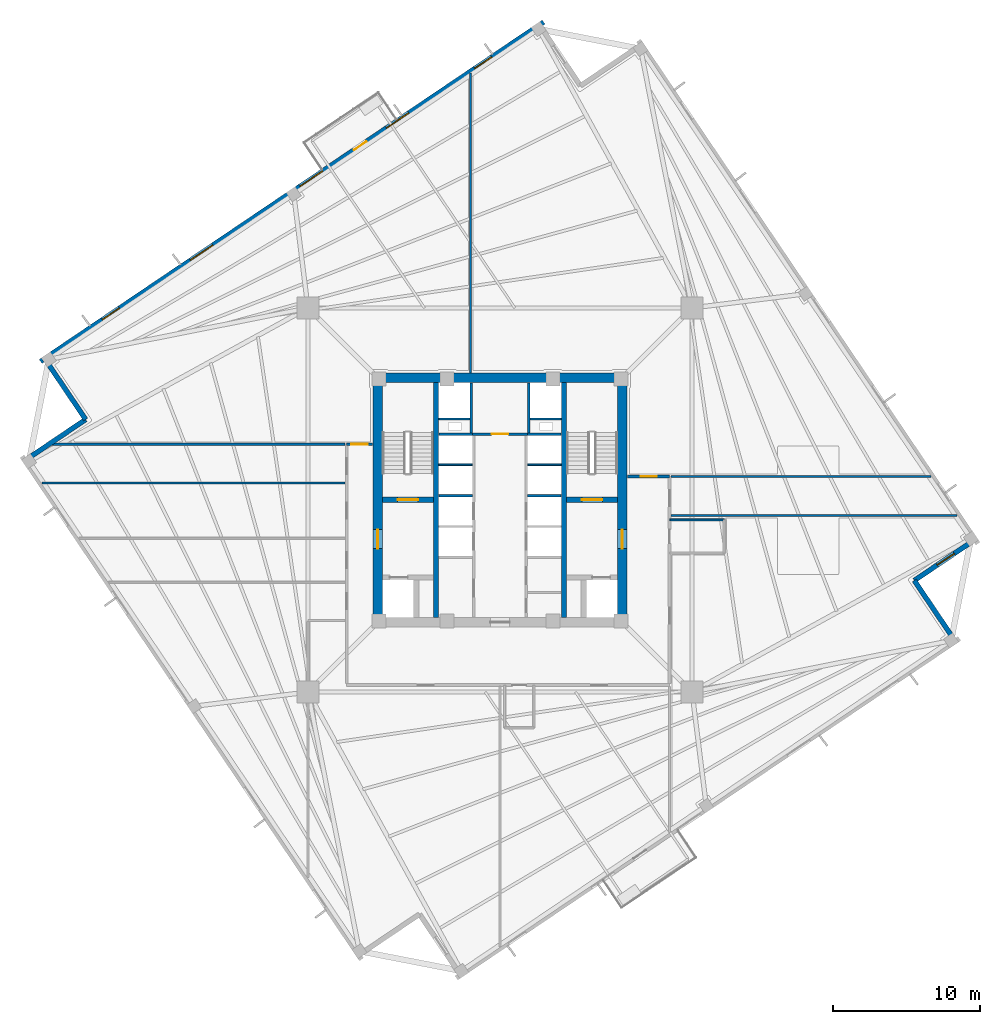
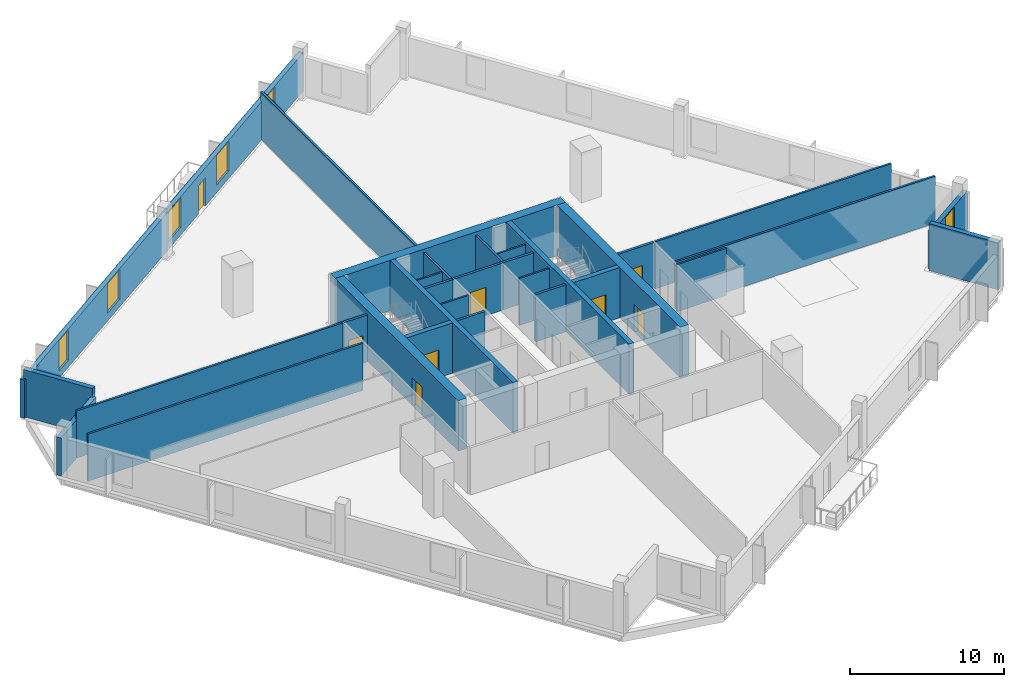
# One storey, part 4 of 8: 31 walls, 8 doors, 6 windows, 14 openings.
"""IFC4 building model written with IfcOpenShell, lengths in metres."""

from ifc_helpers import new_model, si_unit, direction, frame, frame_2d, origin, place, context, subcontext, project, spatial, rectangle, extrude, source, transform, mapped, material, layer, layer_set, type_object, element, fill, save


model = new_model("IFC4")

# Units and contexts
model_context = context("Model", 3, precision=1e-05, world=origin(), true_north=direction((0.0, 1.0)))
body_context = subcontext(model_context, "Body", "Model", "MODEL_VIEW")
ifc_project = project(units=[si_unit("LENGTHUNIT", "METRE"), si_unit("AREAUNIT", "SQUARE_METRE"), si_unit("VOLUMEUNIT", "CUBIC_METRE"), si_unit("PLANEANGLEUNIT", "RADIAN"), si_unit("MASSUNIT", "GRAM", prefix="KILO"), si_unit("THERMODYNAMICTEMPERATUREUNIT", "KELVIN")], contexts=[model_context])

# Site, building, storey
site_placement = place(None, origin())
site = spatial("IfcSite", under=ifc_project, at=site_placement, CompositionType="ELEMENT")
building_placement = place(site_placement, origin())
building = spatial("IfcBuilding", under=site, at=building_placement, Name="Kosmvard Interchange Tower", CompositionType="ELEMENT")
storey_placement = place(building_placement, frame((0.0, 0.0, 188.39990234375)))
storey = spatial("IfcBuildingStorey", under=building, at=storey_placement, Name="L45", CompositionType="ELEMENT", Elevation=188.39990234375)

# Walls
ifc_material_1 = material(Name="Acoustic gypsum partition system")
ifc_layer_1 = layer(ifc_material_1, 0.14990234375, Name="Acoustic gypsum partition system")
ifc_layer_set_1 = layer_set([ifc_layer_1], Name="Acoustic gypsum partition system")
wall_type_1 = type_object("IfcWallType", Name="Acoustic Suite & Meeting Partition 150", PredefinedType="PARTITIONING", material=ifc_layer_set_1)
wall_1_placement = place(storey_placement, frame((-2.0, 8.655029296875, 0.0), z_axis=(0.0, 0.0, 1.0), x_axis=(0.0, 1.0, 0.0)))
element("IfcWall", 1, at=wall_1_placement, inside=storey, type_object=wall_type_1, Name="L45 Room Partition 01.1", PredefinedType="PARTITIONING", context=body_context, shape_type="SweptSolid", body=[
    extrude(rectangle(XDim=20.4228515625, YDim=0.14990234375, at=frame_2d((10.21142578125, 0.0))), origin(), (0.0, 0.0, 1.0), 3.739990234375),
])
wall_2_placement = place(storey_placement, frame((-31.20263671875, 1.14990234375, 0.0), z_axis=(0.0, 0.0, 1.0), x_axis=(1.0, 0.0, 0.0)))
element("IfcWall", 2, at=wall_2_placement, inside=storey, type_object=wall_type_1, Name="L45 Room Partition 02.1", PredefinedType="PARTITIONING", context=body_context, shape_type="SweptSolid", body=[
    extrude(rectangle(XDim=20.65771484375, YDim=0.14990234375, at=frame_2d((10.328857421875, 0.0))), origin(), (0.0, 0.0, 1.0), 3.739990234375),
])
wall_3_placement = place(storey_placement, frame((-30.534423828125, 3.800048828125, 0.0), z_axis=(0.0, 0.0, 1.0), x_axis=(1.0, 0.0, 0.0)))
element("IfcWall", 3, at=wall_3_placement, inside=storey, type_object=wall_type_1, Name="L45 Room Partition 03.1", PredefinedType="PARTITIONING", context=body_context, shape_type="SweptSolid", body=[
    extrude(rectangle(XDim=19.989501953125, YDim=0.14990234375, at=frame_2d((9.99462890625, 0.0))), origin(), (0.0, 0.0, 1.0), 3.739990234375),
])
wall_4_placement = place(storey_placement, frame((11.64501953125, -1.050048828125, 0.0), z_axis=(0.0, 0.0, 1.0), x_axis=(1.0, 0.0, 0.0)))
element("IfcWall", 4, at=wall_4_placement, inside=storey, type_object=wall_type_1, Name="L45 Room Partition 04.1", PredefinedType="PARTITIONING", context=body_context, shape_type="SweptSolid", body=[
    extrude(rectangle(XDim=19.489990234375, YDim=0.14990234375, at=frame_2d((9.7451171875, 0.0))), origin(), (0.0, 0.0, 1.0), 3.739990234375),
])
wall_5_placement = place(storey_placement, frame((11.64501953125, 1.60009765625, 0.0), z_axis=(0.0, 0.0, 1.0), x_axis=(1.0, 0.0, 0.0)))
element("IfcWall", 5, at=wall_5_placement, inside=storey, type_object=wall_type_1, Name="L45 Room Partition 05.1", PredefinedType="PARTITIONING", context=body_context, shape_type="SweptSolid", body=[
    extrude(rectangle(XDim=17.70263671875, YDim=0.14990234375, at=frame_2d((8.851318359375, 0.0))), origin(), (0.0, 0.0, 1.0), 3.739990234375),
])
ifc_material_2 = material(Name="Fire-rated gypsum partition system")
ifc_layer_2 = layer(ifc_material_2, 0.159912109375, Name="Fire-rated gypsum partition system")
ifc_layer_set_2 = layer_set([ifc_layer_2], Name="Fire-rated gypsum partition system")
wall_type_2 = type_object("IfcWallType", Name="Core Compartment & Shuttle Lobby Partition 160", PredefinedType="PARTITIONING", material=ifc_layer_set_2)
for number, where, z_axis, x_axis, name in (
    (6, (-1.9599609375, 4.580078125, 0.0), (0.0, 0.0, 1.0), (0.0, 1.0, 0.0), "L45 North Core West Wall"),
    (7, (1.9599609375, 4.580078125, 0.0), (0.0, 0.0, 1.0), (0.0, 1.0, 0.0), "L45 North Core East Wall"),
):
    element("IfcWall", number, at=place(storey_placement, frame(where, z_axis=z_axis, x_axis=x_axis)), inside=storey, type_object=wall_type_2, Name=name, PredefinedType="PARTITIONING", context=body_context, shape_type="SweptSolid", body=[
        extrude(rectangle(XDim=3.39990234375, YDim=0.159912109375, at=frame_2d((1.699951171875, 0.0))), origin(), (0.0, 0.0, 1.0), 3.739990234375),
    ])

# Wall, opening, door
ifc_layer_3 = layer(ifc_material_2, 0.179931640625, Name="Fire-rated gypsum partition system")
ifc_layer_set_3 = layer_set([ifc_layer_3], Name="Fire-rated gypsum partition system")
wall_type_3 = type_object("IfcWallType", Name="Corridor & Hotel Compartment Partition 180", PredefinedType="PARTITIONING", material=ifc_layer_set_3)
wall_6_placement = place(storey_placement, frame((-1.8798828125, 4.489990234375, 0.0), z_axis=(0.0, 0.0, 1.0), x_axis=(1.0, 0.0, 0.0)))
wall_6 = element("IfcWall", 8, at=wall_6_placement, inside=storey, type_object=wall_type_3, Name="L45 Lift Lobby North Partition", PredefinedType="PARTITIONING", context=body_context, shape_type="SweptSolid", body=[
    extrude(rectangle(XDim=3.759765625, YDim=0.179931640625, at=frame_2d((1.8798828125, 0.0))), origin(), (0.0, 0.0, 1.0), 3.739990234375),
])
opening_1_placement = place(wall_6_placement, frame((1.304931640625, 0.0, 0.0)))
opening_1 = element("IfcOpeningElement", 9, at=opening_1_placement, cuts=wall_6, Name="Opening L45-KD1", PredefinedType="OPENING", context=body_context, shape_type="SweptSolid", body=[
    extrude(rectangle(XDim=1.14990234375, YDim=2.25, at=frame_2d((0.574951171875, 1.125))), frame((0.0, 0.10009765625, 0.0), z_axis=(0.0, -1.0, 0.0), x_axis=(1.0, 0.0, 0.0)), (0.0, 0.0, 1.0), 0.199951171875),
])
ifc_material_3 = material(Name="Painted fire-rated steel leaf", Category="steel")
door_type_1 = type_object("IfcDoorType", Name="Plant & Riser Fire Door 1150x2250 EI60", OperationType="NOTDEFINED", PredefinedType="DOOR", material=ifc_material_3)
shared_shape_1 = source(origin(), body_context, "Body", "SweptSolid", [
    extrude(rectangle(XDim=1.14990234375, YDim=2.25, at=frame_2d((0.574951171875, 1.125))), frame((0.0, 0.02490234375, 0.0), z_axis=(0.0, -1.0, 0.0), x_axis=(1.0, 0.0, 0.0)), (0.0, 0.0, 1.0), 0.050048828125),
])
door_1_placement = place(opening_1_placement, origin())
door_1 = element("IfcDoor", 10, at=door_1_placement, inside=storey, type_object=door_type_1, Name="L45 Core IT Room Door", OperationType="SINGLE_SWING_LEFT", OverallHeight=2.25, OverallWidth=1.14990234375, PredefinedType="DOOR", context=body_context, shape_type="MappedRepresentation", body=[
    mapped(shared_shape_1, transform((0.0, 0.0, 0.0), scale=1.0)),
])
fill(opening_1, door_1)

wall_7_placement = place(storey_placement, frame((-10.449951171875, 3.800048828125, 0.0), z_axis=(0.0, 0.0, 1.0), x_axis=(1.0, 0.0, 0.0)))
wall_7 = element("IfcWall", 11, at=wall_7_placement, inside=storey, type_object=wall_type_3, Name="L45 Corridor Wall CNW", PredefinedType="PARTITIONING", context=body_context, shape_type="SweptSolid", body=[
    extrude(rectangle(XDim=1.75, YDim=0.179931640625, at=frame_2d((0.875, 0.0))), origin(), (0.0, 0.0, 1.0), 3.739990234375),
])
opening_2_placement = place(wall_7_placement, frame((0.324951171875, 0.0, 0.0)))
opening_2 = element("IfcOpeningElement", 12, at=opening_2_placement, cuts=wall_7, Name="Opening L45-D04", PredefinedType="OPENING", context=body_context, shape_type="SweptSolid", body=[
    extrude(rectangle(XDim=1.10009765625, YDim=2.199951171875, at=frame_2d((0.550048828125, 1.10009765625))), frame((0.0, 0.10009765625, 0.0), z_axis=(0.0, -1.0, 0.0), x_axis=(1.0, 0.0, 0.0)), (0.0, 0.0, 1.0), 0.199951171875),
])
ifc_material_4 = material(Name="Engineered oak fire-rated timber", Category="wood")
door_type_2 = type_object("IfcDoorType", Name="Office Suite Entrance Door 1100x2200 FD30S", OperationType="NOTDEFINED", PredefinedType="DOOR", material=ifc_material_4)
shared_shape_2 = source(origin(), body_context, "Body", "SweptSolid", [
    extrude(rectangle(XDim=1.10009765625, YDim=2.199951171875, at=frame_2d((0.550048828125, 1.10009765625))), frame((0.0, 0.02490234375, 0.0), z_axis=(0.0, -1.0, 0.0), x_axis=(1.0, 0.0, 0.0)), (0.0, 0.0, 1.0), 0.050048828125),
])
door_2_placement = place(opening_2_placement, origin())
door_2 = element("IfcDoor", 13, at=door_2_placement, inside=storey, type_object=door_type_2, Name="L45 North-West Cyber Operations Workplace Door", OperationType="SINGLE_SWING_RIGHT", OverallHeight=2.199951171875, OverallWidth=1.10009765625, PredefinedType="DOOR", context=body_context, shape_type="MappedRepresentation", body=[
    mapped(shared_shape_2, transform((0.0, 0.0, 0.0), scale=1.0)),
])
fill(opening_2, door_2)

wall_8_placement = place(storey_placement, frame((8.699951171875, 1.60009765625, 0.0), z_axis=(0.0, 0.0, 1.0), x_axis=(1.0, 0.0, 0.0)))
wall_8 = element("IfcWall", 14, at=wall_8_placement, inside=storey, type_object=wall_type_3, Name="L45 Corridor Wall CNE", PredefinedType="PARTITIONING", context=body_context, shape_type="SweptSolid", body=[
    extrude(rectangle(XDim=2.85009765625, YDim=0.179931640625, at=frame_2d((1.425048828125, 0.0))), origin(), (0.0, 0.0, 1.0), 3.739990234375),
])
opening_3_placement = place(wall_8_placement, frame((0.875, 0.0, 0.0)))
opening_3 = element("IfcOpeningElement", 15, at=opening_3_placement, cuts=wall_8, Name="Opening L45-D05", PredefinedType="OPENING", context=body_context, shape_type="SweptSolid", body=[
    extrude(rectangle(XDim=1.10009765625, YDim=2.199951171875, at=frame_2d((0.550048828125, 1.10009765625))), frame((0.0, 0.10009765625, 0.0), z_axis=(0.0, -1.0, 0.0), x_axis=(1.0, 0.0, 0.0)), (0.0, 0.0, 1.0), 0.199951171875),
])
door_3_placement = place(opening_3_placement, origin())
door_3 = element("IfcDoor", 16, at=door_3_placement, inside=storey, type_object=door_type_2, Name="L45 North-East Cloud Systems Workplace Door", OperationType="SINGLE_SWING_LEFT", OverallHeight=2.199951171875, OverallWidth=1.10009765625, PredefinedType="DOOR", context=body_context, shape_type="MappedRepresentation", body=[
    mapped(shared_shape_2, transform((0.0, 0.0, 0.0), scale=1.0)),
])
fill(opening_3, door_3)

# Wall
ifc_material_5 = material(Name="Concrete C70/85", Category="concrete")
ifc_layer_4 = layer(ifc_material_5, 0.64990234375, Name="Concrete C70/85")
ifc_layer_set_4 = layer_set([ifc_layer_4], Name="Concrete C70/85")
wall_type_4 = type_object("IfcWallType", Name="Mid Core Shear Wall 650 C70/85", PredefinedType="SHEAR", material=ifc_layer_set_4)
wall_9_placement = place(storey_placement, frame((-8.64990234375, 8.324951171875, 0.0), z_axis=(0.0, 0.0, 1.0), x_axis=(1.0, 0.0, 0.0)))
element("IfcWall", 17, at=wall_9_placement, inside=storey, type_object=wall_type_4, Name="L45 Core Shear Wall CW-N", PredefinedType="SHEAR", context=body_context, shape_type="SweptSolid", body=[
    extrude(rectangle(XDim=17.2998046875, YDim=0.64990234375, at=frame_2d((8.64990234375, 0.0))), origin(), (0.0, 0.0, 1.0), 4.0),
])

# Wall, opening, door
wall_10_placement = place(storey_placement, frame((-8.324951171875, -8.0, 0.0), z_axis=(0.0, 0.0, 1.0), x_axis=(0.0, 1.0, 0.0)))
wall_10 = element("IfcWall", 18, at=wall_10_placement, inside=storey, type_object=wall_type_4, Name="L45 Core Shear Wall CW-W", PredefinedType="SHEAR", context=body_context, shape_type="SweptSolid", body=[
    extrude(rectangle(XDim=16.0, YDim=0.64990234375, at=frame_2d((8.0, 0.0))), origin(), (0.0, 0.0, 1.0), 4.0),
])
opening_4_placement = place(wall_10_placement, frame((4.68994140625, 0.0, 0.0)))
opening_4 = element("IfcOpeningElement", 19, at=opening_4_placement, cuts=wall_10, Name="Opening L45-FD1", PredefinedType="OPENING", context=body_context, shape_type="SweptSolid", body=[
    extrude(rectangle(XDim=1.300048828125, YDim=2.199951171875, at=frame_2d((0.64990234375, 1.10009765625))), frame((0.0, 0.3349609375, 0.0), z_axis=(0.0, -1.0, 0.0), x_axis=(1.0, 0.0, 0.0)), (0.0, 0.0, 1.0), 0.669921875),
])
door_type_3 = type_object("IfcDoorType", Name="Firefighting Lobby Door 1300x2200 EI60", OperationType="NOTDEFINED", PredefinedType="DOOR", material=ifc_material_3)
shared_shape_3 = source(origin(), body_context, "Body", "SweptSolid", [
    extrude(rectangle(XDim=1.300048828125, YDim=2.199951171875, at=frame_2d((0.64990234375, 1.10009765625))), frame((0.0, 0.02490234375, 0.0), z_axis=(0.0, -1.0, 0.0), x_axis=(1.0, 0.0, 0.0)), (0.0, 0.0, 1.0), 0.050048828125),
])
door_4_placement = place(opening_4_placement, frame((1.300048828125, 0.0, 0.0), z_axis=(0.0, 0.0, 1.0), x_axis=(-1.0, 0.0, 0.0)))
door_4 = element("IfcDoor", 20, at=door_4_placement, inside=storey, type_object=door_type_3, Name="L45 Firefighting Lobby West Door", OperationType="SINGLE_SWING_LEFT", OverallHeight=2.199951171875, OverallWidth=1.300048828125, PredefinedType="DOOR", context=body_context, shape_type="MappedRepresentation", body=[
    mapped(shared_shape_3, transform((0.0, 0.0, 0.0), scale=1.0)),
])
fill(opening_4, door_4)

wall_11_placement = place(storey_placement, frame((8.324951171875, -8.0, 0.0), z_axis=(0.0, 0.0, 1.0), x_axis=(0.0, 1.0, 0.0)))
wall_11 = element("IfcWall", 21, at=wall_11_placement, inside=storey, type_object=wall_type_4, Name="L45 Core Shear Wall CW-E", PredefinedType="SHEAR", context=body_context, shape_type="SweptSolid", body=[
    extrude(rectangle(XDim=16.0, YDim=0.64990234375, at=frame_2d((8.0, 0.0))), origin(), (0.0, 0.0, 1.0), 4.0),
])
opening_5_placement = place(wall_11_placement, frame((4.68994140625, 0.0, 0.0)))
opening_5 = element("IfcOpeningElement", 22, at=opening_5_placement, cuts=wall_11, Name="Opening L45-FD2", PredefinedType="OPENING", context=body_context, shape_type="SweptSolid", body=[
    extrude(rectangle(XDim=1.300048828125, YDim=2.199951171875, at=frame_2d((0.64990234375, 1.10009765625))), frame((0.0, 0.3349609375, 0.0), z_axis=(0.0, -1.0, 0.0), x_axis=(1.0, 0.0, 0.0)), (0.0, 0.0, 1.0), 0.669921875),
])
door_5_placement = place(opening_5_placement, origin())
door_5 = element("IfcDoor", 23, at=door_5_placement, inside=storey, type_object=door_type_3, Name="L45 Firefighting Lobby East Door", OperationType="SINGLE_SWING_RIGHT", OverallHeight=2.199951171875, OverallWidth=1.300048828125, PredefinedType="DOOR", context=body_context, shape_type="MappedRepresentation", body=[
    mapped(shared_shape_3, transform((0.0, 0.0, 0.0), scale=1.0)),
])
fill(opening_5, door_5)

# Wall
ifc_material_6 = material(Name="Precast concrete C45/55", Category="concrete")
ifc_layer_5 = layer(ifc_material_6, 0.340087890625, Name="Precast concrete C45/55")
ifc_layer_set_5 = layer_set([ifc_layer_5], Name="Precast concrete C45/55")
wall_type_5 = type_object("IfcWallType", Name="Mid Tower Precast Pier Wall 340 C45/55", PredefinedType="STANDARD", material=ifc_layer_set_5)
wall_12_placement = place(storey_placement, frame((31.018798828125, -9.631103515625, 0.0), z_axis=(0.0, 0.0, 1.0), x_axis=(-0.559210350234, 0.829025804298, 0.0)))
element("IfcWall", 24, at=wall_12_placement, inside=storey, type_object=wall_type_5, Name="L45 Precast Facade Wall N-SE1", PredefinedType="STANDARD", context=body_context, shape_type="SweptSolid", body=[
    extrude(rectangle(XDim=5.000244140625, YDim=0.340087890625, at=frame_2d((2.5, 0.0))), origin(), (0.0, 0.0, 1.0), 3.739990234375),
])

# Wall, opening, window
wall_13_placement = place(storey_placement, frame((28.22265625, -5.48583984375, 0.0), z_axis=(0.0, 0.0, 1.0), x_axis=(0.82905227345, 0.559171107879, 0.0)))
wall_13 = element("IfcWall", 25, at=wall_13_placement, inside=storey, type_object=wall_type_5, Name="L45 Precast Facade Wall N-SE2", PredefinedType="STANDARD", context=body_context, shape_type="SweptSolid", body=[
    extrude(rectangle(XDim=5.169921875, YDim=0.340087890625, at=frame_2d((2.5849609375, 0.0))), origin(), (0.0, 0.0, 1.0), 3.0400390625),
])
opening_6_placement = place(wall_13_placement, frame((1.885009765625, 0.0, 0.56005859375)))
opening_6 = element("IfcOpeningElement", 26, at=opening_6_placement, cuts=wall_13, Name="Opening L45-W21", PredefinedType="OPENING", context=body_context, shape_type="SweptSolid", body=[
    extrude(rectangle(XDim=1.39990234375, YDim=2.39990234375, at=frame_2d((0.699951171875, 1.199951171875))), frame((0.0, 0.18017578125, 0.0), z_axis=(0.0, -1.0, 0.0), x_axis=(1.0, 0.0, 0.0)), (0.0, 0.0, 1.0), 0.360107421875),
])
ifc_material_7 = material(Name="Low-E solar-control double glazing", Category="glass")
window_type_1 = type_object("IfcWindowType", Name="Notched Corner Feature Window 1400x2400", PartitioningType="SINGLE_PANEL", PredefinedType="WINDOW", material=ifc_material_7)
shared_shape_4 = source(origin(), body_context, "Body", "SweptSolid", [
    extrude(rectangle(XDim=1.39990234375, YDim=2.39990234375, at=frame_2d((0.699951171875, 1.199951171875))), frame((0.0, 0.030029296875, 0.0), z_axis=(0.0, -1.0, 0.0), x_axis=(1.0, 0.0, 0.0)), (0.0, 0.0, 1.0), 0.06005859375),
])
window_1_placement = place(opening_6_placement, origin())
window_1 = element("IfcWindow", 27, at=window_1_placement, inside=storey, type_object=window_type_1, Name="L45 Corner Notch Window 21", OverallHeight=2.39990234375, OverallWidth=1.39990234375, PartitioningType="SINGLE_PANEL", PredefinedType="WINDOW", context=body_context, shape_type="MappedRepresentation", body=[
    mapped(shared_shape_4, transform((0.0, 0.0, 0.0), scale=1.0)),
])
fill(opening_6, window_1)

# Wall, openings, door, windows
wall_14_placement = place(storey_placement, frame((2.971923828125, 32.55810546875, 0.0), z_axis=(0.0, 0.0, 1.0), x_axis=(-0.829036218961, -0.559194910251, 0.0)))
wall_14 = element("IfcWall", 28, at=wall_14_placement, inside=storey, type_object=wall_type_5, Name="L45 Precast Facade Wall F-N", PredefinedType="STANDARD", context=body_context, shape_type="SweptSolid", body=[
    extrude(rectangle(XDim=41.340087890625, YDim=0.340087890625, at=frame_2d((20.669921875, 0.0))), origin(), (0.0, 0.0, 1.0), 3.0400390625),
])
opening_7_placement = place(wall_14_placement, frame((14.544921875, 0.0, 0.0)))
opening_7 = element("IfcOpeningElement", 29, at=opening_7_placement, cuts=wall_14, Name="Opening L45-BDN", PredefinedType="OPENING", context=body_context, shape_type="SweptSolid", body=[
    extrude(rectangle(XDim=1.050048828125, YDim=2.25, at=frame_2d((0.52490234375, 1.125))), frame((0.0, 0.18017578125, 0.0), z_axis=(0.0, -1.0, 0.0), x_axis=(1.0, 0.0, 0.0)), (0.0, 0.0, 1.0), 0.360107421875),
])
opening_8_placement = place(wall_14_placement, frame((4.2607421875, 0.0, 0.56005859375)))
opening_8 = element("IfcOpeningElement", 30, at=opening_8_placement, cuts=wall_14, Name="Opening L45-W11", PredefinedType="OPENING", context=body_context, shape_type="SweptSolid", body=[
    extrude(rectangle(XDim=1.39990234375, YDim=2.39990234375, at=frame_2d((0.699951171875, 1.199951171875))), frame((0.0, 0.18017578125, 0.0), z_axis=(0.0, -1.0, 0.0), x_axis=(1.0, 0.0, 0.0)), (0.0, 0.0, 1.0), 0.360107421875),
])
opening_9_placement = place(wall_14_placement, frame((11.063720703125, 0.0, 0.610107421875)))
opening_9 = element("IfcOpeningElement", 31, at=opening_9_placement, cuts=wall_14, Name="Opening L45-W12", PredefinedType="OPENING", context=body_context, shape_type="SweptSolid", body=[
    extrude(rectangle(XDim=1.85009765625, YDim=2.35009765625, at=frame_2d((0.925048828125, 1.175048828125))), frame((0.0, 0.18017578125, 0.0), z_axis=(0.0, -1.0, 0.0), x_axis=(1.0, 0.0, 0.0)), (0.0, 0.0, 1.0), 0.360107421875),
])
opening_10_placement = place(wall_14_placement, frame((18.168212890625, 0.0, 0.610107421875)))
opening_10 = element("IfcOpeningElement", 32, at=opening_10_placement, cuts=wall_14, Name="Opening L45-W13", PredefinedType="OPENING", context=body_context, shape_type="SweptSolid", body=[
    extrude(rectangle(XDim=1.85009765625, YDim=2.35009765625, at=frame_2d((0.925048828125, 1.175048828125))), frame((0.0, 0.18017578125, 0.0), z_axis=(0.0, -1.0, 0.0), x_axis=(1.0, 0.0, 0.0)), (0.0, 0.0, 1.0), 0.360107421875),
])
opening_11_placement = place(wall_14_placement, frame((27.186279296875, 0.0, 0.610107421875)))
opening_11 = element("IfcOpeningElement", 33, at=opening_11_placement, cuts=wall_14, Name="Opening L45-W14", PredefinedType="OPENING", context=body_context, shape_type="SweptSolid", body=[
    extrude(rectangle(XDim=1.85009765625, YDim=2.35009765625, at=frame_2d((0.925048828125, 1.175048828125))), frame((0.0, 0.18017578125, 0.0), z_axis=(0.0, -1.0, 0.0), x_axis=(1.0, 0.0, 0.0)), (0.0, 0.0, 1.0), 0.360107421875),
])
opening_12_placement = place(wall_14_placement, frame((34.852294921875, 0.0, 0.56005859375)))
opening_12 = element("IfcOpeningElement", 34, at=opening_12_placement, cuts=wall_14, Name="Opening L45-W15", PredefinedType="OPENING", context=body_context, shape_type="SweptSolid", body=[
    extrude(rectangle(XDim=1.39990234375, YDim=2.39990234375, at=frame_2d((0.699951171875, 1.199951171875))), frame((0.0, 0.18017578125, 0.0), z_axis=(0.0, -1.0, 0.0), x_axis=(1.0, 0.0, 0.0)), (0.0, 0.0, 1.0), 0.360107421875),
])
ifc_material_8 = material(Name="Anodised aluminium and safety glass", Category="aluminium")
door_type_4 = type_object("IfcDoorType", Name="Tree-Balcony Glazed Door 1050x2250", OperationType="NOTDEFINED", PredefinedType="DOOR", material=ifc_material_8)
shared_shape_5 = source(origin(), body_context, "Body", "SweptSolid", [
    extrude(rectangle(XDim=1.050048828125, YDim=2.25, at=frame_2d((0.52490234375, 1.125))), frame((0.0, 0.02490234375, 0.0), z_axis=(0.0, -1.0, 0.0), x_axis=(1.0, 0.0, 0.0)), (0.0, 0.0, 1.0), 0.050048828125),
])
door_6_placement = place(opening_7_placement, origin())
door_6 = element("IfcDoor", 35, at=door_6_placement, inside=storey, type_object=door_type_4, Name="L45 Tree-Balcony Door BAL-L45-N", OperationType="SINGLE_SWING_RIGHT", OverallHeight=2.25, OverallWidth=1.050048828125, PredefinedType="DOOR", context=body_context, shape_type="MappedRepresentation", body=[
    mapped(shared_shape_5, transform((0.0, 0.0, 0.0), scale=1.0)),
])
fill(opening_7, door_6)
window_2_placement = place(opening_8_placement, origin())
window_2 = element("IfcWindow", 36, at=window_2_placement, inside=storey, type_object=window_type_1, Name="L45 Facade Punched Window 11", OverallHeight=2.39990234375, OverallWidth=1.39990234375, PartitioningType="SINGLE_PANEL", PredefinedType="WINDOW", context=body_context, shape_type="MappedRepresentation", body=[
    mapped(shared_shape_4, transform((0.0, 0.0, 0.0), scale=1.0)),
])
fill(opening_8, window_2)
window_3_placement = place(opening_12_placement, origin())
window_3 = element("IfcWindow", 37, at=window_3_placement, inside=storey, type_object=window_type_1, Name="L45 Facade Punched Window 15", OverallHeight=2.39990234375, OverallWidth=1.39990234375, PartitioningType="SINGLE_PANEL", PredefinedType="WINDOW", context=body_context, shape_type="MappedRepresentation", body=[
    mapped(shared_shape_4, transform((0.0, 0.0, 0.0), scale=1.0)),
])
fill(opening_12, window_3)
window_type_2 = type_object("IfcWindowType", Name="Zone 3 Office Punched Window 1850x2350", PartitioningType="SINGLE_PANEL", PredefinedType="WINDOW", material=ifc_material_7)
shared_shape_6 = source(origin(), body_context, "Body", "SweptSolid", [
    extrude(rectangle(XDim=1.85009765625, YDim=2.35009765625, at=frame_2d((0.925048828125, 1.175048828125))), frame((0.0, 0.030029296875, 0.0), z_axis=(0.0, -1.0, 0.0), x_axis=(1.0, 0.0, 0.0)), (0.0, 0.0, 1.0), 0.06005859375),
])
window_4_placement = place(opening_9_placement, origin())
window_4 = element("IfcWindow", 38, at=window_4_placement, inside=storey, type_object=window_type_2, Name="L45 Facade Punched Window 12", OverallHeight=2.35009765625, OverallWidth=1.85009765625, PartitioningType="SINGLE_PANEL", PredefinedType="WINDOW", context=body_context, shape_type="MappedRepresentation", body=[
    mapped(shared_shape_6, transform((0.0, 0.0, 0.0), scale=1.0)),
])
fill(opening_9, window_4)
window_5_placement = place(opening_10_placement, origin())
window_5 = element("IfcWindow", 39, at=window_5_placement, inside=storey, type_object=window_type_2, Name="L45 Facade Punched Window 13", OverallHeight=2.35009765625, OverallWidth=1.85009765625, PartitioningType="SINGLE_PANEL", PredefinedType="WINDOW", context=body_context, shape_type="MappedRepresentation", body=[
    mapped(shared_shape_6, transform((0.0, 0.0, 0.0), scale=1.0)),
])
fill(opening_10, window_5)
window_6_placement = place(opening_11_placement, origin())
window_6 = element("IfcWindow", 40, at=window_6_placement, inside=storey, type_object=window_type_2, Name="L45 Facade Punched Window 14", OverallHeight=2.35009765625, OverallWidth=1.85009765625, PartitioningType="SINGLE_PANEL", PredefinedType="WINDOW", context=body_context, shape_type="MappedRepresentation", body=[
    mapped(shared_shape_6, transform((0.0, 0.0, 0.0), scale=1.0)),
])
fill(opening_11, window_6)

# Walls
wall_15_placement = place(storey_placement, frame((-31.018798828125, 9.631103515625, 0.0), z_axis=(0.0, 0.0, 1.0), x_axis=(0.559210350234, -0.829025804298, 0.0)))
element("IfcWall", 41, at=wall_15_placement, inside=storey, type_object=wall_type_5, Name="L45 Precast Facade Wall N-NW1", PredefinedType="STANDARD", context=body_context, shape_type="SweptSolid", body=[
    extrude(rectangle(XDim=5.000244140625, YDim=0.340087890625, at=frame_2d((2.5, 0.0))), origin(), (0.0, 0.0, 1.0), 3.739990234375),
])
wall_16_placement = place(storey_placement, frame((-28.22265625, 5.48583984375, 0.0), z_axis=(0.0, 0.0, 1.0), x_axis=(-0.82905227345, -0.559171107879, 0.0)))
element("IfcWall", 42, at=wall_16_placement, inside=storey, type_object=wall_type_5, Name="L45 Precast Facade Wall N-NW2", PredefinedType="STANDARD", context=body_context, shape_type="SweptSolid", body=[
    extrude(rectangle(XDim=5.169921875, YDim=0.340087890625, at=frame_2d((2.5849609375, 0.0))), origin(), (0.0, 0.0, 1.0), 3.0400390625),
])
ifc_material_9 = material(Name="Concrete blockwork masonry", Category="masonry")
ifc_layer_6 = layer(ifc_material_9, 0.179931640625, Name="Concrete blockwork masonry")
ifc_layer_set_6 = layer_set([ifc_layer_6], Name="Concrete blockwork masonry")
wall_type_6 = type_object("IfcWallType", Name="Riser & Lift Bank Divider Wall 180", PredefinedType="PARTITIONING", material=ifc_layer_set_6)
for number, where, z_axis, x_axis, name in (
    (43, (-4.169921875, 0.300048828125, 0.0), (0.0, 0.0, 1.0), (1.0, 0.0, 0.0), "L45 West Bank Divider BD2"),
    (44, (1.889892578125, 0.300048828125, 0.0), (0.0, 0.0, 1.0), (1.0, 0.0, 0.0), "L45 East Bank Divider BD2"),
    (45, (-4.169921875, 4.489990234375, 0.0), (0.0, 0.0, 1.0), (1.0, 0.0, 0.0), "L45 West Bank Divider BD3"),
    (46, (1.889892578125, 4.489990234375, 0.0), (0.0, 0.0, 1.0), (1.0, 0.0, 0.0), "L45 East Bank Divider BD3"),
):
    element("IfcWall", number, at=place(storey_placement, frame(where, z_axis=z_axis, x_axis=x_axis)), inside=storey, type_object=wall_type_6, Name=name, PredefinedType="PARTITIONING", context=body_context, shape_type="SweptSolid", body=[
        extrude(rectangle(XDim=2.280029296875, YDim=0.179931640625, at=frame_2d((1.14013671875, 0.0))), origin(), (0.0, 0.0, 1.0), 3.739990234375),
    ])
ifc_material_10 = material(Name="Fire-rated gypsum shaftwall system")
ifc_layer_7 = layer(ifc_material_10, 0.1201171875, Name="Fire-rated gypsum shaftwall system")
ifc_layer_set_7 = layer_set([ifc_layer_7], Name="Fire-rated gypsum shaftwall system")
wall_type_7 = type_object("IfcWallType", Name="Shaft & Riser Fire Partition 120 EI60", PredefinedType="PARTITIONING", material=ifc_layer_set_7)
for number, where, z_axis, x_axis, name in (
    (47, (-4.159912109375, 2.39990234375, 0.0), (0.0, 0.0, 1.0), (1.0, 0.0, 0.0), "L45 Shaft Divider PL-H1"),
    (48, (1.89990234375, 2.39990234375, 0.0), (0.0, 0.0, 1.0), (1.0, 0.0, 0.0), "L45 Shaft Divider PL-H3"),
):
    element("IfcWall", number, at=place(storey_placement, frame(where, z_axis=z_axis, x_axis=x_axis)), inside=storey, type_object=wall_type_7, Name=name, PredefinedType="PARTITIONING", context=body_context, shape_type="SweptSolid", body=[
        extrude(rectangle(XDim=2.260009765625, YDim=0.1201171875, at=frame_2d((1.1298828125, 0.0))), origin(), (0.0, 0.0, 1.0), 3.739990234375),
    ])
for number, where, z_axis, x_axis, name in (
    (49, (-4.159912109375, 5.52001953125, 0.0), (0.0, 0.0, 1.0), (1.0, 0.0, 0.0), "L45 Riser Shaft Divider W"),
    (50, (2.06005859375, 5.52001953125, 0.0), (0.0, 0.0, 1.0), (1.0, 0.0, 0.0), "L45 Riser Shaft Divider E"),
):
    element("IfcWall", number, at=place(storey_placement, frame(where, z_axis=z_axis, x_axis=x_axis)), inside=storey, type_object=wall_type_7, Name=name, PredefinedType="PARTITIONING", context=body_context, shape_type="SweptSolid", body=[
        extrude(rectangle(XDim=2.099853515625, YDim=0.1201171875, at=frame_2d((1.0498046875, 0.0))), origin(), (0.0, 0.0, 1.0), 3.739990234375),
    ])
ifc_material_11 = material(Name="Concrete C60/75", Category="concrete")
ifc_layer_8 = layer(ifc_material_11, 0.360107421875, Name="Concrete C60/75")
ifc_layer_set_8 = layer_set([ifc_layer_8], Name="Concrete C60/75")
wall_type_8 = type_object("IfcWallType", Name="Stair & Lift Shaft Shear Wall 360 C60/75", PredefinedType="SHEAR", material=ifc_layer_set_8)
for number, where, z_axis, x_axis, name in (
    (51, (-4.360107421875, -8.0, 0.0), (0.0, 0.0, 1.0), (0.0, 1.0, 0.0), "L45 Shaft Shear Wall SW-W"),
    (52, (4.360107421875, -8.0, 0.0), (0.0, 0.0, 1.0), (0.0, 1.0, 0.0), "L45 Shaft Shear Wall SW-E"),
):
    element("IfcWall", number, at=place(storey_placement, frame(where, z_axis=z_axis, x_axis=x_axis)), inside=storey, type_object=wall_type_8, Name=name, PredefinedType="SHEAR", context=body_context, shape_type="SweptSolid", body=[
        extrude(rectangle(XDim=16.0, YDim=0.360107421875, at=frame_2d((8.0, 0.0))), origin(), (0.0, 0.0, 1.0), 4.0),
    ])

# Wall, opening, door
wall_17_placement = place(storey_placement, frame((-8.0, 0.02001953125, 0.0), z_axis=(0.0, 0.0, 1.0), x_axis=(1.0, 0.0, 0.0)))
wall_17 = element("IfcWall", 53, at=wall_17_placement, inside=storey, type_object=wall_type_8, Name="L45 Shaft Shear Wall SW-ST1", PredefinedType="SHEAR", context=body_context, shape_type="SweptSolid", body=[
    extrude(rectangle(XDim=3.4599609375, YDim=0.360107421875, at=frame_2d((1.72998046875, 0.0))), origin(), (0.0, 0.0, 1.0), 4.0),
])
opening_13_placement = place(wall_17_placement, frame((1.030029296875, 0.0, 0.0)))
opening_13 = element("IfcOpeningElement", 54, at=opening_13_placement, cuts=wall_17, Name="Opening L45-SD1", PredefinedType="OPENING", context=body_context, shape_type="SweptSolid", body=[
    extrude(rectangle(XDim=1.39990234375, YDim=2.199951171875, at=frame_2d((0.699951171875, 1.10009765625))), frame((0.0, 0.18994140625, 0.0), z_axis=(0.0, -1.0, 0.0), x_axis=(1.0, 0.0, 0.0)), (0.0, 0.0, 1.0), 0.380126953125),
])
door_type_5 = type_object("IfcDoorType", Name="Protected Stair Door 1400x2200 FD60S", OperationType="NOTDEFINED", PredefinedType="DOOR", material=ifc_material_3)
shared_shape_7 = source(origin(), body_context, "Body", "SweptSolid", [
    extrude(rectangle(XDim=1.39990234375, YDim=2.199951171875, at=frame_2d((0.699951171875, 1.10009765625))), frame((0.0, 0.02490234375, 0.0), z_axis=(0.0, -1.0, 0.0), x_axis=(1.0, 0.0, 0.0)), (0.0, 0.0, 1.0), 0.050048828125),
])
door_7_placement = place(opening_13_placement, origin())
door_7 = element("IfcDoor", 55, at=door_7_placement, inside=storey, type_object=door_type_5, Name="L45 Stair ST-1 Enclosure Door", OperationType="SINGLE_SWING_LEFT", OverallHeight=2.199951171875, OverallWidth=1.39990234375, PredefinedType="DOOR", context=body_context, shape_type="MappedRepresentation", body=[
    mapped(shared_shape_7, transform((0.0, 0.0, 0.0), scale=1.0)),
])
fill(opening_13, door_7)

wall_18_placement = place(storey_placement, frame((4.5400390625, 0.02001953125, 0.0), z_axis=(0.0, 0.0, 1.0), x_axis=(1.0, 0.0, 0.0)))
wall_18 = element("IfcWall", 56, at=wall_18_placement, inside=storey, type_object=wall_type_8, Name="L45 Shaft Shear Wall SW-ST2", PredefinedType="SHEAR", context=body_context, shape_type="SweptSolid", body=[
    extrude(rectangle(XDim=3.4599609375, YDim=0.360107421875, at=frame_2d((1.72998046875, 0.0))), origin(), (0.0, 0.0, 1.0), 4.0),
])
opening_14_placement = place(wall_18_placement, frame((1.030029296875, 0.0, 0.0)))
opening_14 = element("IfcOpeningElement", 57, at=opening_14_placement, cuts=wall_18, Name="Opening L45-SD2", PredefinedType="OPENING", context=body_context, shape_type="SweptSolid", body=[
    extrude(rectangle(XDim=1.39990234375, YDim=2.199951171875, at=frame_2d((0.699951171875, 1.10009765625))), frame((0.0, 0.18994140625, 0.0), z_axis=(0.0, -1.0, 0.0), x_axis=(1.0, 0.0, 0.0)), (0.0, 0.0, 1.0), 0.380126953125),
])
door_8_placement = place(opening_14_placement, origin())
door_8 = element("IfcDoor", 58, at=door_8_placement, inside=storey, type_object=door_type_5, Name="L45 Stair ST-2 Enclosure Door", OperationType="SINGLE_SWING_RIGHT", OverallHeight=2.199951171875, OverallWidth=1.39990234375, PredefinedType="DOOR", context=body_context, shape_type="MappedRepresentation", body=[
    mapped(shared_shape_7, transform((0.0, 0.0, 0.0), scale=1.0)),
])
fill(opening_14, door_8)

# Wall
ifc_material_12 = material(Name="Moisture-resistant gypsum partition")
ifc_layer_9 = layer(ifc_material_12, 0.135009765625, Name="Moisture-resistant gypsum partition")
ifc_layer_set_9 = layer_set([ifc_layer_9], Name="Moisture-resistant gypsum partition")
wall_type_9 = type_object("IfcWallType", Name="Wet Room Moisture-Resistant Partition 135", PredefinedType="PARTITIONING", material=ifc_layer_set_9)
wall_19_placement = place(storey_placement, frame((11.570068359375, -1.361083984375, 0.0), z_axis=(0.0, 0.0, 1.0), x_axis=(1.0, 0.0, 0.0)))
element("IfcWall", 59, at=wall_19_placement, inside=storey, type_object=wall_type_9, Name="L45 Washroom Partition WC1-N", PredefinedType="PARTITIONING", context=body_context, shape_type="SweptSolid", body=[
    extrude(rectangle(XDim=3.699951171875, YDim=0.135009765625, at=frame_2d((1.85009765625, 0.0))), origin(), (0.0, 0.0, 1.0), 3.739990234375),
])

save(model, "model.ifc")
